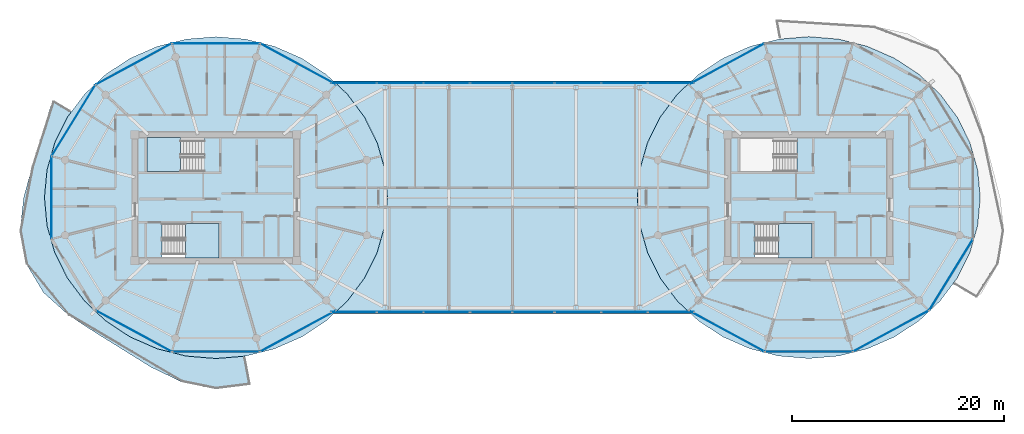
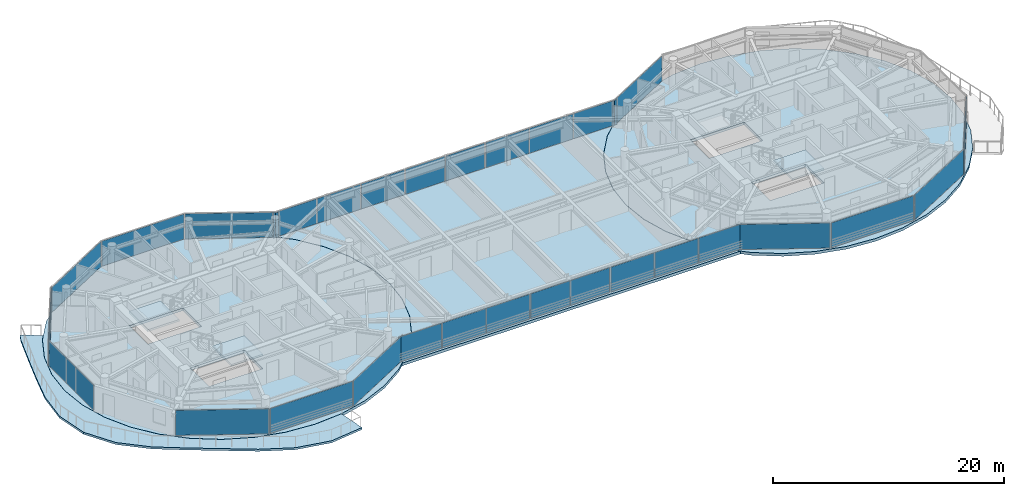
# One storey, part 11 of 23: 29 plates, 7 slabs, 22 elements without a shape of their own.
"""IFC4 building model written with IfcOpenShell, lengths in metres."""

from ifc_helpers import new_model, si_unit, direction, frame, origin, origin_2d, place, context, subcontext, project, spatial, polyline, rectangle, outline, extrude, source, transform, mapped, material, layer, layer_set, type_object, type_shapes, element, aggregate, save


model = new_model("IFC4")

# Units and contexts
model_context = context("Model", 3, precision=1e-05, world=origin(), true_north=direction((0.0, 1.0)))
body_context = subcontext(model_context, "Body", "Model", "MODEL_VIEW")
ifc_project = project(units=[si_unit("LENGTHUNIT", "METRE"), si_unit("AREAUNIT", "SQUARE_METRE"), si_unit("VOLUMEUNIT", "CUBIC_METRE"), si_unit("PLANEANGLEUNIT", "RADIAN"), si_unit("MASSUNIT", "GRAM", prefix="KILO")], contexts=[model_context])

# Site, building, storey
site_placement = place(None, origin())
site = spatial("IfcSite", under=ifc_project, at=site_placement, CompositionType="ELEMENT")
building_placement = place(site_placement, origin())
building = spatial("IfcBuilding", under=site, at=building_placement, Name="Norrkilde Senior Care Towers", CompositionType="ELEMENT")
storey_placement = place(building_placement, frame((0.0, 0.0, 220.0)))
storey = spatial("IfcBuildingStorey", under=building, at=storey_placement, Name="L68", CompositionType="ELEMENT", Elevation=220.0)

# Slabs
ifc_material_1 = material(Name="Concrete C50/60", Category="concrete")
ifc_layer_1 = layer(ifc_material_1, 0.2900390625)
ifc_layer_set_1 = layer_set([ifc_layer_1], Name="Concrete C50/60")
slab_type_1 = type_object("IfcSlabType", Name="Bridge Floor Slab 290", PredefinedType="FLOOR", material=ifc_layer_set_1)
slab_1_placement = place(storey_placement, frame((0.0, 0.0, -0.2900390625)))
element("IfcSlab", 1, at=slab_1_placement, inside=storey, type_object=slab_type_1, Name="L68 Drum W Structural Floor Slab", PredefinedType="FLOOR", context=body_context, shape_type="SweptSolid", body=[
    extrude(outline(polyline([(-12.777099609375, -5.19873046875), (-13.970458984375, -7.60009765625), (-15.590087890625, -9.770263671875), (-17.5869140625, -11.643798828125), (-19.89990234375, -13.16357421875), (-22.459228515625, -14.283447265625), (-25.18701171875, -14.968994140625), (-28.0, -15.199951171875), (-30.81298828125, -14.968994140625), (-33.540771484375, -14.283447265625), (-36.10009765625, -13.16357421875), (-38.4130859375, -11.643798828125), (-40.409912109375, -9.770263671875), (-42.029541015625, -7.60009765625), (-43.222900390625, -5.19873046875), (-43.953857421875, -2.639404296875), (-44.199951171875, 0.0), (-43.953857421875, 2.639404296875), (-43.222900390625, 5.19873046875), (-42.029541015625, 7.60009765625), (-40.409912109375, 9.770263671875), (-38.4130859375, 11.643798828125), (-36.10009765625, 13.16357421875), (-33.540771484375, 14.283447265625), (-30.81298828125, 14.968994140625), (-28.0, 15.199951171875), (-25.18701171875, 14.968994140625), (-22.459228515625, 14.283447265625), (-19.89990234375, 13.16357421875), (-17.5869140625, 11.643798828125), (-15.590087890625, 9.770263671875), (-13.970458984375, 7.60009765625), (-12.777099609375, 5.19873046875), (-12.046142578125, 2.639404296875), (-11.800048828125, 0.0), (-12.046142578125, -2.639404296875), (-12.777099609375, -5.19873046875)]), holes=[polyline([(-34.48193359375, 2.468017578125), (-29.117919921875, 2.468017578125), (-29.117919921875, 5.68994140625), (-34.48193359375, 5.68994140625), (-34.48193359375, 2.468017578125)]), polyline([(-27.718017578125, -5.68994140625), (-27.718017578125, -2.468017578125), (-33.08203125, -2.468017578125), (-33.08203125, -5.68994140625), (-27.718017578125, -5.68994140625)])]), origin(), (0.0, 0.0, 1.0), 0.2900390625),
])
slab_2_placement = place(storey_placement, frame((0.0, 0.0, -0.2900390625)))
element("IfcSlab", 2, at=slab_2_placement, inside=storey, type_object=slab_type_1, Name="L68 Drum E Structural Floor Slab", PredefinedType="FLOOR", context=body_context, shape_type="SweptSolid", body=[
    extrude(outline(polyline([(43.222900390625, -5.19873046875), (42.029541015625, -7.60009765625), (40.409912109375, -9.770263671875), (38.4130859375, -11.643798828125), (36.10009765625, -13.16357421875), (33.540771484375, -14.283447265625), (30.81298828125, -14.968994140625), (28.0, -15.199951171875), (25.18701171875, -14.968994140625), (22.459228515625, -14.283447265625), (19.89990234375, -13.16357421875), (17.5869140625, -11.643798828125), (15.590087890625, -9.770263671875), (13.970458984375, -7.60009765625), (12.777099609375, -5.19873046875), (12.046142578125, -2.639404296875), (11.800048828125, 0.0), (12.046142578125, 2.639404296875), (12.777099609375, 5.19873046875), (13.970458984375, 7.60009765625), (15.590087890625, 9.770263671875), (17.5869140625, 11.643798828125), (19.89990234375, 13.16357421875), (22.459228515625, 14.283447265625), (25.18701171875, 14.968994140625), (28.0, 15.199951171875), (30.81298828125, 14.968994140625), (33.540771484375, 14.283447265625), (36.10009765625, 13.16357421875), (38.4130859375, 11.643798828125), (40.409912109375, 9.770263671875), (42.029541015625, 7.60009765625), (43.222900390625, 5.19873046875), (43.953857421875, 2.639404296875), (44.199951171875, 0.0), (43.953857421875, -2.639404296875), (43.222900390625, -5.19873046875)]), holes=[polyline([(21.51806640625, 2.468017578125), (26.882080078125, 2.468017578125), (26.882080078125, 5.68994140625), (21.51806640625, 5.68994140625), (21.51806640625, 2.468017578125)]), polyline([(28.281982421875, -5.68994140625), (28.281982421875, -2.468017578125), (22.91796875, -2.468017578125), (22.91796875, -5.68994140625), (28.281982421875, -5.68994140625)])]), origin(), (0.0, 0.0, 1.0), 0.2900390625),
])
slab_3_placement = place(storey_placement, frame((0.0, 0.0, -0.2900390625)))
element("IfcSlab", 3, at=slab_3_placement, inside=storey, type_object=slab_type_1, Name="L68 Sky-Gate Bridge Floor Slab", PredefinedType="FLOOR", context=body_context, shape_type="SweptSolid", body=[
    extrude(outline(polyline([(16.893310546875, 11.0), (15.586669921875, 9.77392578125), (15.58642578125, 9.773681640625), (15.586181640625, 9.7734375), (13.96630859375, 7.60302734375), (13.966064453125, 7.6025390625), (13.9658203125, 7.602294921875), (12.7724609375, 5.200927734375), (12.772216796875, 5.200439453125), (12.772216796875, 5.2001953125), (12.041259765625, 2.640869140625), (12.041259765625, 2.640380859375), (12.041015625, 2.639892578125), (11.794921875, 0.00048828125), (11.794921875, 0.0), (11.794921875, -0.00048828125), (12.041015625, -2.639892578125), (12.041259765625, -2.640380859375), (12.041259765625, -2.640869140625), (12.772216796875, -5.2001953125), (12.772216796875, -5.200439453125), (12.7724609375, -5.200927734375), (13.9658203125, -7.602294921875), (13.966064453125, -7.6025390625), (13.96630859375, -7.60302734375), (15.586181640625, -9.7734375), (15.58642578125, -9.773681640625), (15.586669921875, -9.77392578125), (16.893310546875, -11.0), (-16.893310546875, -11.0), (-15.586669921875, -9.77392578125), (-15.58642578125, -9.773681640625), (-15.586181640625, -9.7734375), (-13.96630859375, -7.60302734375), (-13.966064453125, -7.6025390625), (-13.9658203125, -7.602294921875), (-12.7724609375, -5.200927734375), (-12.772216796875, -5.200439453125), (-12.772216796875, -5.2001953125), (-12.041259765625, -2.640869140625), (-12.041259765625, -2.640380859375), (-12.041015625, -2.639892578125), (-11.794921875, -0.00048828125), (-11.794921875, 0.0), (-11.794921875, 0.00048828125), (-12.041015625, 2.639892578125), (-12.041259765625, 2.640380859375), (-12.041259765625, 2.640869140625), (-12.772216796875, 5.2001953125), (-12.772216796875, 5.200439453125), (-12.7724609375, 5.200927734375), (-13.9658203125, 7.602294921875), (-13.966064453125, 7.6025390625), (-13.96630859375, 7.60302734375), (-15.586181640625, 9.7734375), (-15.58642578125, 9.773681640625), (-15.586669921875, 9.77392578125), (-16.893310546875, 11.0), (16.893310546875, 11.0)])), origin(), (0.0, 0.0, 1.0), 0.2900390625),
])
ifc_layer_2 = layer(ifc_material_1, 0.215087890625)
ifc_layer_set_2 = layer_set([ifc_layer_2], Name="Concrete C50/60")
slab_type_2 = type_object("IfcSlabType", Name="Sinusoidal Balcony Ribbon Slab 215", PredefinedType="FLOOR", material=ifc_layer_set_2)
slab_4_placement = place(storey_placement, frame((0.0, 0.0, -0.215087890625)))
element("IfcSlab", 4, at=slab_4_placement, inside=storey, type_object=slab_type_2, Name="L68 Drum W Swirling Senior Balcony 1", PredefinedType="FLOOR", context=body_context, shape_type="SweptSolid", body=[
    extrude(outline(polyline([(-31.21923828125, -17.424560546875), (-34.133544921875, -16.01953125), (-36.760986328125, -14.384033203125), (-39.321044921875, -12.797119140625), (-41.91357421875, -11.114990234375), (-44.281005859375, -8.9853515625), (-45.92626953125, -6.247314453125), (-46.51123046875, -3.1201171875), (-46.163818359375, 0.0), (-45.369873046875, 2.905517578125), (-44.5341796875, 5.707275390625), (-43.635498046875, 8.588134765625), (-43.365478515625, 9.1689453125), (-41.635498046875, 8.136474609375), (-42.033935546875, 7.6025390625), (-43.227783203125, 5.200439453125), (-43.958740234375, 2.640380859375), (-44.205078125, 0.0), (-43.958740234375, -2.640380859375), (-43.227783203125, -5.200439453125), (-42.033935546875, -7.6025390625), (-40.413818359375, -9.773681640625), (-38.416259765625, -11.647705078125), (-36.1025390625, -13.16796875), (-33.54248046875, -14.2880859375), (-30.81396484375, -14.97412109375), (-28.0, -15.205078125), (-25.234375, -14.97802734375), (-24.73779296875, -17.6669921875), (-24.740478515625, -17.668212890625), (-28.0, -18.0830078125), (-31.21923828125, -17.424560546875)])), origin(), (0.0, 0.0, 1.0), 0.215087890625),
])

# Stair, slab
ifc_material_2 = material(Name="Concrete C45/55", Category="concrete")
stair_type = type_object("IfcStairType", Name="Core Protected Dogleg Stair Typical 3050", PredefinedType="HALF_TURN_STAIR", material=ifc_material_2)
stair_1_placement = place(storey_placement, origin())
stair_1 = element("IfcStair", 5, at=stair_1_placement, inside=storey, type_object=stair_type, Name="L68 Protected Core Stair W1", PredefinedType="HALF_TURN_STAIR")
ifc_layer_3 = layer(ifc_material_2, 0.199951171875)
ifc_layer_set_3 = layer_set([ifc_layer_3], Name="Concrete C45/55")
slab_type_3 = type_object("IfcSlabType", Name="Stair Landing Slab 200", PredefinedType="LANDING", material=ifc_layer_set_3)
slab_5_placement = place(storey_placement, frame((0.0, 0.0, 1.324951171875)))
slab_5 = element("IfcSlab", 6, at=slab_5_placement, type_object=slab_type_3, Name="ST-W1 landing 1", PredefinedType="LANDING", context=body_context, shape_type="SweptSolid", body=[
    extrude(outline(polyline([(-31.340087890625, 5.68994140625), (-34.5, 5.68994140625), (-34.5, 2.449951171875), (-31.340087890625, 2.449951171875), (-31.340087890625, 5.68994140625)])), origin(), (0.0, 0.0, 1.0), 0.199951171875),
])
aggregate(stair_1, [slab_5])

stair_2_placement = place(storey_placement, origin())
stair_2 = element("IfcStair", 7, at=stair_2_placement, inside=storey, type_object=stair_type, Name="L68 Protected Core Stair W2", PredefinedType="HALF_TURN_STAIR")
slab_6_placement = place(storey_placement, frame((0.0, 0.0, 1.324951171875)))
slab_6 = element("IfcSlab", 8, at=slab_6_placement, type_object=slab_type_3, Name="ST-W2 landing 1", PredefinedType="LANDING", context=body_context, shape_type="SweptSolid", body=[
    extrude(outline(polyline([(-30.860107421875, -5.68994140625), (-27.699951171875, -5.68994140625), (-27.699951171875, -2.449951171875), (-30.860107421875, -2.449951171875), (-30.860107421875, -5.68994140625)])), origin(), (0.0, 0.0, 1.0), 0.199951171875),
])
aggregate(stair_2, [slab_6])

stair_3_placement = place(storey_placement, origin())
stair_3 = element("IfcStair", 9, at=stair_3_placement, inside=storey, type_object=stair_type, Name="L68 Protected Core Stair E2", PredefinedType="HALF_TURN_STAIR")
slab_7_placement = place(storey_placement, frame((0.0, 0.0, 1.324951171875)))
slab_7 = element("IfcSlab", 10, at=slab_7_placement, type_object=slab_type_3, Name="ST-E2 landing 1", PredefinedType="LANDING", context=body_context, shape_type="SweptSolid", body=[
    extrude(outline(polyline([(25.139892578125, -5.68994140625), (28.300048828125, -5.68994140625), (28.300048828125, -2.449951171875), (25.139892578125, -2.449951171875), (25.139892578125, -5.68994140625)])), origin(), (0.0, 0.0, 1.0), 0.199951171875),
])
aggregate(stair_3, [slab_7])

# Curtain wall, plate
ifc_material_3 = material(Name="Triple Low-E Insulated Glazing", Category="glass")
ifc_layer_4 = layer(ifc_material_3, 0.18505859375)
ifc_layer_set_4 = layer_set([ifc_layer_4], Name="Triple Low-E Insulated Glazing")
curtain_wall_type_1 = type_object("IfcCurtainWallType", Name="CW6 Zone 4 Crown Pavilion Curtain Wall", PredefinedType="NOTDEFINED", material=ifc_layer_set_4)
curtain_wall_1_placement = place(storey_placement, origin())
curtain_wall_1 = element("IfcCurtainWall", 11, at=curtain_wall_1_placement, inside=storey, type_object=curtain_wall_type_1, Name="L68 Drum W Curtain Wall 04", PredefinedType="NOTDEFINED")
ifc_layer_5 = layer(ifc_material_3, 0.035888671875)
ifc_layer_set_5 = layer_set([ifc_layer_5], Name="Triple Low-E Insulated Glazing")
plate_type = type_object("IfcPlateType", Name="Triple Low-E Vision Curtain Panel 36", PredefinedType="CURTAIN_PANEL", material=ifc_layer_set_5)
shared_shape_1 = source(origin(), body_context, "Body", "SweptSolid", [
    extrude(rectangle(XDim=7.80859375, YDim=0.035888671875, at=origin_2d()), origin(), (0.0, 0.0, 1.0), 2.639892578125),
])
plate_1_placement = place(storey_placement, frame((-41.451171875, 7.282958984375, 0.06005859375), z_axis=(0.0, 0.0, 1.0), x_axis=(0.524252726748, 0.851562727283, 0.0)))
plate_1 = element("IfcPlate", 12, at=plate_1_placement, type_object=plate_type, Name="CW-6 panel 1.1", PredefinedType="CURTAIN_PANEL", context=body_context, shape_type="MappedRepresentation", body=[
    mapped(shared_shape_1, transform((0.0, 0.0, 0.0), x_axis=(1.0, 0.0, 0.0), y_axis=(0.0, 1.0, 0.0), z_axis=(0.0, 0.0, 1.0), scale=1.0)),
])
aggregate(curtain_wall_1, [plate_1])

curtain_wall_2_placement = place(storey_placement, origin())
curtain_wall_2 = element("IfcCurtainWall", 13, at=curtain_wall_2_placement, inside=storey, type_object=curtain_wall_type_1, Name="L68 Drum E Curtain Wall 10", PredefinedType="NOTDEFINED")
plate_2_placement = place(storey_placement, frame((41.451171875, -7.282958984375, 0.06005859375), z_axis=(0.0, 0.0, 1.0), x_axis=(-0.524252726748, -0.851562727283, 0.0)))
plate_2 = element("IfcPlate", 14, at=plate_2_placement, type_object=plate_type, Name="CW-6 panel 1.1", PredefinedType="CURTAIN_PANEL", context=body_context, shape_type="MappedRepresentation", body=[
    mapped(shared_shape_1, transform((0.0, 0.0, 0.0), x_axis=(1.0, 0.0, 0.0), y_axis=(0.0, 1.0, 0.0), z_axis=(0.0, 0.0, 1.0), scale=1.0)),
])
aggregate(curtain_wall_2, [plate_2])

curtain_wall_3_placement = place(storey_placement, origin())
curtain_wall_3 = element("IfcCurtainWall", 15, at=curtain_wall_3_placement, inside=storey, type_object=curtain_wall_type_1, Name="L68 Drum W Curtain Wall 01", PredefinedType="NOTDEFINED")
shared_shape_2 = source(origin(), body_context, "Body", "SweptSolid", [
    extrude(rectangle(XDim=8.0673828125, YDim=0.035888671875, at=origin_2d()), origin(), (0.0, 0.0, 1.0), 2.639892578125),
])
plate_3_placement = place(storey_placement, frame((-20.23388671875, 12.61474609375, 0.06005859375), z_axis=(0.0, 0.0, 1.0), x_axis=(0.879373455772, -0.476132676136, 0.0)))
plate_3 = element("IfcPlate", 16, at=plate_3_placement, type_object=plate_type, Name="CW-6 panel 1.1", PredefinedType="CURTAIN_PANEL", context=body_context, shape_type="MappedRepresentation", body=[
    mapped(shared_shape_2, transform((0.0, 0.0, 0.0), x_axis=(1.0, 0.0, 0.0), y_axis=(0.0, 1.0, 0.0), z_axis=(0.0, 0.0, 1.0), scale=1.0)),
])
aggregate(curtain_wall_3, [plate_3])

curtain_wall_4_placement = place(storey_placement, origin())
curtain_wall_4 = element("IfcCurtainWall", 17, at=curtain_wall_4_placement, inside=storey, type_object=curtain_wall_type_1, Name="L68 Drum W Curtain Wall 03", PredefinedType="NOTDEFINED")
plate_4_placement = place(storey_placement, frame((-35.76611328125, 12.61474609375, 0.06005859375), z_axis=(0.0, 0.0, 1.0), x_axis=(0.879373455772, 0.476132676136, 0.0)))
plate_4 = element("IfcPlate", 18, at=plate_4_placement, type_object=plate_type, Name="CW-6 panel 1.1", PredefinedType="CURTAIN_PANEL", context=body_context, shape_type="MappedRepresentation", body=[
    mapped(shared_shape_2, transform((0.0, 0.0, 0.0), x_axis=(1.0, 0.0, 0.0), y_axis=(0.0, 1.0, 0.0), z_axis=(0.0, 0.0, 1.0), scale=1.0)),
])
aggregate(curtain_wall_4, [plate_4])

curtain_wall_5_placement = place(storey_placement, origin())
curtain_wall_5 = element("IfcCurtainWall", 19, at=curtain_wall_5_placement, inside=storey, type_object=curtain_wall_type_1, Name="L68 Drum W Curtain Wall 07", PredefinedType="NOTDEFINED")
plate_5_placement = place(storey_placement, frame((-35.76611328125, -12.61474609375, 0.06005859375), z_axis=(0.0, 0.0, 1.0), x_axis=(-0.879373455772, 0.476132676136, 0.0)))
plate_5 = element("IfcPlate", 20, at=plate_5_placement, type_object=plate_type, Name="CW-6 panel 1.1", PredefinedType="CURTAIN_PANEL", context=body_context, shape_type="MappedRepresentation", body=[
    mapped(shared_shape_2, transform((0.0, 0.0, 0.0), x_axis=(1.0, 0.0, 0.0), y_axis=(0.0, 1.0, 0.0), z_axis=(0.0, 0.0, 1.0), scale=1.0)),
])
aggregate(curtain_wall_5, [plate_5])

curtain_wall_6_placement = place(storey_placement, origin())
curtain_wall_6 = element("IfcCurtainWall", 21, at=curtain_wall_6_placement, inside=storey, type_object=curtain_wall_type_1, Name="L68 Drum W Curtain Wall 09", PredefinedType="NOTDEFINED")
plate_6_placement = place(storey_placement, frame((-20.23388671875, -12.61474609375, 0.06005859375), z_axis=(0.0, 0.0, 1.0), x_axis=(-0.879373455772, -0.476132676136, 0.0)))
plate_6 = element("IfcPlate", 22, at=plate_6_placement, type_object=plate_type, Name="CW-6 panel 1.1", PredefinedType="CURTAIN_PANEL", context=body_context, shape_type="MappedRepresentation", body=[
    mapped(shared_shape_2, transform((0.0, 0.0, 0.0), x_axis=(1.0, 0.0, 0.0), y_axis=(0.0, 1.0, 0.0), z_axis=(0.0, 0.0, 1.0), scale=1.0)),
])
aggregate(curtain_wall_6, [plate_6])

curtain_wall_7_placement = place(storey_placement, origin())
curtain_wall_7 = element("IfcCurtainWall", 23, at=curtain_wall_7_placement, inside=storey, type_object=curtain_wall_type_1, Name="L68 Drum E Curtain Wall 03", PredefinedType="NOTDEFINED")
plate_7_placement = place(storey_placement, frame((20.23388671875, 12.61474609375, 0.06005859375), z_axis=(0.0, 0.0, 1.0), x_axis=(0.879373455772, 0.476132676136, 0.0)))
plate_7 = element("IfcPlate", 24, at=plate_7_placement, type_object=plate_type, Name="CW-6 panel 1.1", PredefinedType="CURTAIN_PANEL", context=body_context, shape_type="MappedRepresentation", body=[
    mapped(shared_shape_2, transform((0.0, 0.0, 0.0), x_axis=(1.0, 0.0, 0.0), y_axis=(0.0, 1.0, 0.0), z_axis=(0.0, 0.0, 1.0), scale=1.0)),
])
aggregate(curtain_wall_7, [plate_7])

curtain_wall_8_placement = place(storey_placement, origin())
curtain_wall_8 = element("IfcCurtainWall", 25, at=curtain_wall_8_placement, inside=storey, type_object=curtain_wall_type_1, Name="L68 Drum E Curtain Wall 07", PredefinedType="NOTDEFINED")
plate_8_placement = place(storey_placement, frame((20.23388671875, -12.61474609375, 0.06005859375), z_axis=(0.0, 0.0, 1.0), x_axis=(-0.879373455772, 0.476132676136, 0.0)))
plate_8 = element("IfcPlate", 26, at=plate_8_placement, type_object=plate_type, Name="CW-6 panel 1.1", PredefinedType="CURTAIN_PANEL", context=body_context, shape_type="MappedRepresentation", body=[
    mapped(shared_shape_2, transform((0.0, 0.0, 0.0), x_axis=(1.0, 0.0, 0.0), y_axis=(0.0, 1.0, 0.0), z_axis=(0.0, 0.0, 1.0), scale=1.0)),
])
aggregate(curtain_wall_8, [plate_8])

curtain_wall_9_placement = place(storey_placement, origin())
curtain_wall_9 = element("IfcCurtainWall", 27, at=curtain_wall_9_placement, inside=storey, type_object=curtain_wall_type_1, Name="L68 Drum E Curtain Wall 09", PredefinedType="NOTDEFINED")
plate_9_placement = place(storey_placement, frame((35.76611328125, -12.61474609375, 0.06005859375), z_axis=(0.0, 0.0, 1.0), x_axis=(-0.879373455772, -0.476132676136, 0.0)))
plate_9 = element("IfcPlate", 28, at=plate_9_placement, type_object=plate_type, Name="CW-6 panel 1.1", PredefinedType="CURTAIN_PANEL", context=body_context, shape_type="MappedRepresentation", body=[
    mapped(shared_shape_2, transform((0.0, 0.0, 0.0), x_axis=(1.0, 0.0, 0.0), y_axis=(0.0, 1.0, 0.0), z_axis=(0.0, 0.0, 1.0), scale=1.0)),
])
aggregate(curtain_wall_9, [plate_9])

curtain_wall_10_placement = place(storey_placement, origin())
curtain_wall_10 = element("IfcCurtainWall", 29, at=curtain_wall_10_placement, inside=storey, type_object=curtain_wall_type_1, Name="L68 Drum W Curtain Wall 02", PredefinedType="NOTDEFINED")
shared_shape_3 = source(origin(), body_context, "Body", "SweptSolid", [
    extrude(rectangle(XDim=8.193603515625, YDim=0.035888671875, at=origin_2d()), origin(), (0.0, 0.0, 1.0), 2.639892578125),
])
plate_10_placement = place(storey_placement, frame((-28.0, 14.566162109375, 0.06005859375), z_axis=(0.0, 0.0, 1.0), x_axis=(1.0, 0.0, 0.0)))
plate_10 = element("IfcPlate", 30, at=plate_10_placement, type_object=plate_type, Name="CW-6 panel 1.1", PredefinedType="CURTAIN_PANEL", context=body_context, shape_type="MappedRepresentation", body=[
    mapped(shared_shape_3, transform((0.0, 0.0, 0.0), x_axis=(1.0, 0.0, 0.0), y_axis=(0.0, 1.0, 0.0), z_axis=(0.0, 0.0, 1.0), scale=1.0)),
])
aggregate(curtain_wall_10, [plate_10])

curtain_wall_11_placement = place(storey_placement, origin())
curtain_wall_11 = element("IfcCurtainWall", 31, at=curtain_wall_11_placement, inside=storey, type_object=curtain_wall_type_1, Name="L68 Drum W Curtain Wall 08", PredefinedType="NOTDEFINED")
plate_11_placement = place(storey_placement, frame((-28.0, -14.566162109375, 0.06005859375), z_axis=(0.0, 0.0, 1.0), x_axis=(-1.0, 0.0, 0.0)))
plate_11 = element("IfcPlate", 32, at=plate_11_placement, type_object=plate_type, Name="CW-6 panel 1.1", PredefinedType="CURTAIN_PANEL", context=body_context, shape_type="MappedRepresentation", body=[
    mapped(shared_shape_3, transform((0.0, 0.0, 0.0), x_axis=(1.0, 0.0, 0.0), y_axis=(0.0, 1.0, 0.0), z_axis=(0.0, 0.0, 1.0), scale=1.0)),
])
aggregate(curtain_wall_11, [plate_11])

curtain_wall_12_placement = place(storey_placement, origin())
curtain_wall_12 = element("IfcCurtainWall", 33, at=curtain_wall_12_placement, inside=storey, type_object=curtain_wall_type_1, Name="L68 Drum E Curtain Wall 08", PredefinedType="NOTDEFINED")
plate_12_placement = place(storey_placement, frame((28.0, -14.566162109375, 0.06005859375), z_axis=(0.0, 0.0, 1.0), x_axis=(-1.0, 0.0, 0.0)))
plate_12 = element("IfcPlate", 34, at=plate_12_placement, type_object=plate_type, Name="CW-6 panel 1.1", PredefinedType="CURTAIN_PANEL", context=body_context, shape_type="MappedRepresentation", body=[
    mapped(shared_shape_3, transform((0.0, 0.0, 0.0), x_axis=(1.0, 0.0, 0.0), y_axis=(0.0, 1.0, 0.0), z_axis=(0.0, 0.0, 1.0), scale=1.0)),
])
aggregate(curtain_wall_12, [plate_12])

curtain_wall_13_placement = place(storey_placement, origin())
curtain_wall_13 = element("IfcCurtainWall", 35, at=curtain_wall_13_placement, inside=storey, type_object=curtain_wall_type_1, Name="L68 Drum W Curtain Wall 05", PredefinedType="NOTDEFINED")
shared_shape_4 = source(origin(), body_context, "Body", "SweptSolid", [
    extrude(rectangle(XDim=7.676025390625, YDim=0.035888671875, at=origin_2d()), origin(), (0.0, 0.0, 1.0), 2.639892578125),
])
plate_13_placement = place(storey_placement, frame((-43.531982421875, 0.0, 0.06005859375), z_axis=(0.0, 0.0, 1.0), x_axis=(0.0, 1.0, 0.0)))
plate_13 = element("IfcPlate", 36, at=plate_13_placement, type_object=plate_type, Name="CW-6 panel 1.1", PredefinedType="CURTAIN_PANEL", context=body_context, shape_type="MappedRepresentation", body=[
    mapped(shared_shape_4, transform((0.0, 0.0, 0.0), x_axis=(1.0, 0.0, 0.0), y_axis=(0.0, 1.0, 0.0), z_axis=(0.0, 0.0, 1.0), scale=1.0)),
])
aggregate(curtain_wall_13, [plate_13])

# Curtain wall, plates
ifc_layer_6 = layer(ifc_material_3, 0.2099609375)
ifc_layer_set_6 = layer_set([ifc_layer_6], Name="Triple Low-E Insulated Glazing")
curtain_wall_type_2 = type_object("IfcCurtainWallType", Name="CW5 Sky-Gate Bridge Curtain Wall", PredefinedType="NOTDEFINED", material=ifc_layer_set_6)
curtain_wall_14_placement = place(storey_placement, origin())
curtain_wall_14 = element("IfcCurtainWall", 37, at=curtain_wall_14_placement, inside=storey, type_object=curtain_wall_type_2, Name="L68 Sky-Gate Bridge North Curtain Wall 1", PredefinedType="NOTDEFINED")
shared_shape_5 = source(origin(), body_context, "Body", "SweptSolid", [
    extrude(rectangle(XDim=4.294921875, YDim=0.035888671875, at=origin_2d()), origin(), (0.0, 0.0, 1.0), 2.6298828125),
])
plate_14_placement = place(storey_placement, frame((-14.982421875, 10.820068359375, 0.06494140625), z_axis=(0.0, 0.0, 1.0), x_axis=(1.0, 0.0, 0.0)))
plate_14 = element("IfcPlate", 38, at=plate_14_placement, type_object=plate_type, Name="CW-5 panel 1.1", PredefinedType="CURTAIN_PANEL", context=body_context, shape_type="MappedRepresentation", body=[
    mapped(shared_shape_5, transform((0.0, 0.0, 0.0), x_axis=(1.0, 0.0, 0.0), y_axis=(0.0, 1.0, 0.0), z_axis=(0.0, 0.0, 1.0), scale=1.0)),
])
plate_15_placement = place(storey_placement, frame((-6.217529296875, 10.820068359375, 0.06494140625), z_axis=(0.0, 0.0, 1.0), x_axis=(1.0, 0.0, 0.0)))
plate_15 = element("IfcPlate", 39, at=plate_15_placement, type_object=plate_type, Name="CW-5 panel 3.1", PredefinedType="CURTAIN_PANEL", context=body_context, shape_type="MappedRepresentation", body=[
    mapped(shared_shape_5, transform((0.0, 0.0, 0.0), x_axis=(1.0, 0.0, 0.0), y_axis=(0.0, 1.0, 0.0), z_axis=(0.0, 0.0, 1.0), scale=1.0)),
])

curtain_wall_15_placement = place(storey_placement, origin())
curtain_wall_15 = element("IfcCurtainWall", 40, at=curtain_wall_15_placement, inside=storey, type_object=curtain_wall_type_2, Name="L68 Sky-Gate Bridge North Curtain Wall 3", PredefinedType="NOTDEFINED")
plate_16_placement = place(storey_placement, frame((6.217529296875, 10.820068359375, 0.06494140625), z_axis=(0.0, 0.0, 1.0), x_axis=(1.0, 0.0, 0.0)))
plate_16 = element("IfcPlate", 41, at=plate_16_placement, type_object=plate_type, Name="CW-5 panel 1.1", PredefinedType="CURTAIN_PANEL", context=body_context, shape_type="MappedRepresentation", body=[
    mapped(shared_shape_5, transform((0.0, 0.0, 0.0), x_axis=(1.0, 0.0, 0.0), y_axis=(0.0, 1.0, 0.0), z_axis=(0.0, 0.0, 1.0), scale=1.0)),
])
plate_17_placement = place(storey_placement, frame((14.982421875, 10.820068359375, 0.06494140625), z_axis=(0.0, 0.0, 1.0), x_axis=(1.0, 0.0, 0.0)))
plate_17 = element("IfcPlate", 42, at=plate_17_placement, type_object=plate_type, Name="CW-5 panel 3.1", PredefinedType="CURTAIN_PANEL", context=body_context, shape_type="MappedRepresentation", body=[
    mapped(shared_shape_5, transform((0.0, 0.0, 0.0), x_axis=(1.0, 0.0, 0.0), y_axis=(0.0, 1.0, 0.0), z_axis=(0.0, 0.0, 1.0), scale=1.0)),
])

curtain_wall_16_placement = place(storey_placement, origin())
curtain_wall_16 = element("IfcCurtainWall", 43, at=curtain_wall_16_placement, inside=storey, type_object=curtain_wall_type_2, Name="L68 Sky-Gate Bridge South Curtain Wall 1", PredefinedType="NOTDEFINED")
plate_18_placement = place(storey_placement, frame((14.982421875, -10.820068359375, 0.06494140625), z_axis=(0.0, 0.0, 1.0), x_axis=(-1.0, 0.0, 0.0)))
plate_18 = element("IfcPlate", 44, at=plate_18_placement, type_object=plate_type, Name="CW-5 panel 1.1", PredefinedType="CURTAIN_PANEL", context=body_context, shape_type="MappedRepresentation", body=[
    mapped(shared_shape_5, transform((0.0, 0.0, 0.0), x_axis=(1.0, 0.0, 0.0), y_axis=(0.0, 1.0, 0.0), z_axis=(0.0, 0.0, 1.0), scale=1.0)),
])
plate_19_placement = place(storey_placement, frame((6.217529296875, -10.820068359375, 0.06494140625), z_axis=(0.0, 0.0, 1.0), x_axis=(-1.0, 0.0, 0.0)))
plate_19 = element("IfcPlate", 45, at=plate_19_placement, type_object=plate_type, Name="CW-5 panel 3.1", PredefinedType="CURTAIN_PANEL", context=body_context, shape_type="MappedRepresentation", body=[
    mapped(shared_shape_5, transform((0.0, 0.0, 0.0), x_axis=(1.0, 0.0, 0.0), y_axis=(0.0, 1.0, 0.0), z_axis=(0.0, 0.0, 1.0), scale=1.0)),
])

curtain_wall_17_placement = place(storey_placement, origin())
curtain_wall_17 = element("IfcCurtainWall", 46, at=curtain_wall_17_placement, inside=storey, type_object=curtain_wall_type_2, Name="L68 Sky-Gate Bridge South Curtain Wall 3", PredefinedType="NOTDEFINED")
plate_20_placement = place(storey_placement, frame((-6.217529296875, -10.820068359375, 0.06494140625), z_axis=(0.0, 0.0, 1.0), x_axis=(-1.0, 0.0, 0.0)))
plate_20 = element("IfcPlate", 47, at=plate_20_placement, type_object=plate_type, Name="CW-5 panel 1.1", PredefinedType="CURTAIN_PANEL", context=body_context, shape_type="MappedRepresentation", body=[
    mapped(shared_shape_5, transform((0.0, 0.0, 0.0), x_axis=(1.0, 0.0, 0.0), y_axis=(0.0, 1.0, 0.0), z_axis=(0.0, 0.0, 1.0), scale=1.0)),
])
plate_21_placement = place(storey_placement, frame((-14.982421875, -10.820068359375, 0.06494140625), z_axis=(0.0, 0.0, 1.0), x_axis=(-1.0, 0.0, 0.0)))
plate_21 = element("IfcPlate", 48, at=plate_21_placement, type_object=plate_type, Name="CW-5 panel 3.1", PredefinedType="CURTAIN_PANEL", context=body_context, shape_type="MappedRepresentation", body=[
    mapped(shared_shape_5, transform((0.0, 0.0, 0.0), x_axis=(1.0, 0.0, 0.0), y_axis=(0.0, 1.0, 0.0), z_axis=(0.0, 0.0, 1.0), scale=1.0)),
])

# Plate
shared_shape_6 = source(origin(), body_context, "Body", "SweptSolid", [
    extrude(rectangle(XDim=4.330078125, YDim=0.035888671875, at=origin_2d()), origin(), (0.0, 0.0, 1.0), 2.6298828125),
])
plate_22_placement = place(storey_placement, frame((-10.60009765625, 10.820068359375, 0.06494140625), z_axis=(0.0, 0.0, 1.0), x_axis=(1.0, 0.0, 0.0)))
plate_22 = element("IfcPlate", 49, at=plate_22_placement, type_object=plate_type, Name="CW-5 panel 2.1", PredefinedType="CURTAIN_PANEL", context=body_context, shape_type="MappedRepresentation", body=[
    mapped(shared_shape_6, transform((0.0, 0.0, 0.0), x_axis=(1.0, 0.0, 0.0), y_axis=(0.0, 1.0, 0.0), z_axis=(0.0, 0.0, 1.0), scale=1.0)),
])

aggregate(curtain_wall_14, [plate_14, plate_22, plate_15])

plate_23_placement = place(storey_placement, frame((10.60009765625, 10.820068359375, 0.06494140625), z_axis=(0.0, 0.0, 1.0), x_axis=(1.0, 0.0, 0.0)))
plate_23 = element("IfcPlate", 50, at=plate_23_placement, type_object=plate_type, Name="CW-5 panel 2.1", PredefinedType="CURTAIN_PANEL", context=body_context, shape_type="MappedRepresentation", body=[
    mapped(shared_shape_6, transform((0.0, 0.0, 0.0), x_axis=(1.0, 0.0, 0.0), y_axis=(0.0, 1.0, 0.0), z_axis=(0.0, 0.0, 1.0), scale=1.0)),
])

aggregate(curtain_wall_15, [plate_16, plate_23, plate_17])

plate_24_placement = place(storey_placement, frame((10.60009765625, -10.820068359375, 0.06494140625), z_axis=(0.0, 0.0, 1.0), x_axis=(-1.0, 0.0, 0.0)))
plate_24 = element("IfcPlate", 51, at=plate_24_placement, type_object=plate_type, Name="CW-5 panel 2.1", PredefinedType="CURTAIN_PANEL", context=body_context, shape_type="MappedRepresentation", body=[
    mapped(shared_shape_6, transform((0.0, 0.0, 0.0), x_axis=(1.0, 0.0, 0.0), y_axis=(0.0, 1.0, 0.0), z_axis=(0.0, 0.0, 1.0), scale=1.0)),
])

aggregate(curtain_wall_16, [plate_18, plate_24, plate_19])

plate_25_placement = place(storey_placement, frame((-10.60009765625, -10.820068359375, 0.06494140625), z_axis=(0.0, 0.0, 1.0), x_axis=(-1.0, 0.0, 0.0)))
plate_25 = element("IfcPlate", 52, at=plate_25_placement, type_object=plate_type, Name="CW-5 panel 2.1", PredefinedType="CURTAIN_PANEL", context=body_context, shape_type="MappedRepresentation", body=[
    mapped(shared_shape_6, transform((0.0, 0.0, 0.0), x_axis=(1.0, 0.0, 0.0), y_axis=(0.0, 1.0, 0.0), z_axis=(0.0, 0.0, 1.0), scale=1.0)),
])

aggregate(curtain_wall_17, [plate_20, plate_25, plate_21])

# Curtain wall, plates
curtain_wall_18_placement = place(storey_placement, origin())
curtain_wall_18 = element("IfcCurtainWall", 53, at=curtain_wall_18_placement, inside=storey, type_object=curtain_wall_type_2, Name="L68 Sky-Gate Bridge North Curtain Wall 2", PredefinedType="NOTDEFINED")
shared_shape_7 = source(origin(), body_context, "Body", "SweptSolid", [
    extrude(rectangle(XDim=3.89501953125, YDim=0.035888671875, at=origin_2d()), origin(), (0.0, 0.0, 1.0), 2.6298828125),
])
type_shapes(plate_type, [shared_shape_1, shared_shape_2, shared_shape_3, shared_shape_4, shared_shape_5, shared_shape_6, shared_shape_7])
plate_26_placement = place(storey_placement, frame((-1.982421875, 10.820068359375, 0.06494140625), z_axis=(0.0, 0.0, 1.0), x_axis=(1.0, 0.0, 0.0)))
plate_26 = element("IfcPlate", 54, at=plate_26_placement, type_object=plate_type, Name="CW-5 panel 1.1", PredefinedType="CURTAIN_PANEL", context=body_context, shape_type="MappedRepresentation", body=[
    mapped(shared_shape_7, transform((0.0, 0.0, 0.0), x_axis=(1.0, 0.0, 0.0), y_axis=(0.0, 1.0, 0.0), z_axis=(0.0, 0.0, 1.0), scale=1.0)),
])
plate_27_placement = place(storey_placement, frame((1.982421875, 10.820068359375, 0.06494140625), z_axis=(0.0, 0.0, 1.0), x_axis=(1.0, 0.0, 0.0)))
plate_27 = element("IfcPlate", 55, at=plate_27_placement, type_object=plate_type, Name="CW-5 panel 2.1", PredefinedType="CURTAIN_PANEL", context=body_context, shape_type="MappedRepresentation", body=[
    mapped(shared_shape_7, transform((0.0, 0.0, 0.0), x_axis=(1.0, 0.0, 0.0), y_axis=(0.0, 1.0, 0.0), z_axis=(0.0, 0.0, 1.0), scale=1.0)),
])
aggregate(curtain_wall_18, [plate_26, plate_27])

curtain_wall_19_placement = place(storey_placement, origin())
curtain_wall_19 = element("IfcCurtainWall", 56, at=curtain_wall_19_placement, inside=storey, type_object=curtain_wall_type_2, Name="L68 Sky-Gate Bridge South Curtain Wall 2", PredefinedType="NOTDEFINED")
plate_28_placement = place(storey_placement, frame((1.982421875, -10.820068359375, 0.06494140625), z_axis=(0.0, 0.0, 1.0), x_axis=(-1.0, 0.0, 0.0)))
plate_28 = element("IfcPlate", 57, at=plate_28_placement, type_object=plate_type, Name="CW-5 panel 1.1", PredefinedType="CURTAIN_PANEL", context=body_context, shape_type="MappedRepresentation", body=[
    mapped(shared_shape_7, transform((0.0, 0.0, 0.0), x_axis=(1.0, 0.0, 0.0), y_axis=(0.0, 1.0, 0.0), z_axis=(0.0, 0.0, 1.0), scale=1.0)),
])
plate_29_placement = place(storey_placement, frame((-1.982421875, -10.820068359375, 0.06494140625), z_axis=(0.0, 0.0, 1.0), x_axis=(-1.0, 0.0, 0.0)))
plate_29 = element("IfcPlate", 58, at=plate_29_placement, type_object=plate_type, Name="CW-5 panel 2.1", PredefinedType="CURTAIN_PANEL", context=body_context, shape_type="MappedRepresentation", body=[
    mapped(shared_shape_7, transform((0.0, 0.0, 0.0), x_axis=(1.0, 0.0, 0.0), y_axis=(0.0, 1.0, 0.0), z_axis=(0.0, 0.0, 1.0), scale=1.0)),
])
aggregate(curtain_wall_19, [plate_28, plate_29])

save(model, "model.ifc")
